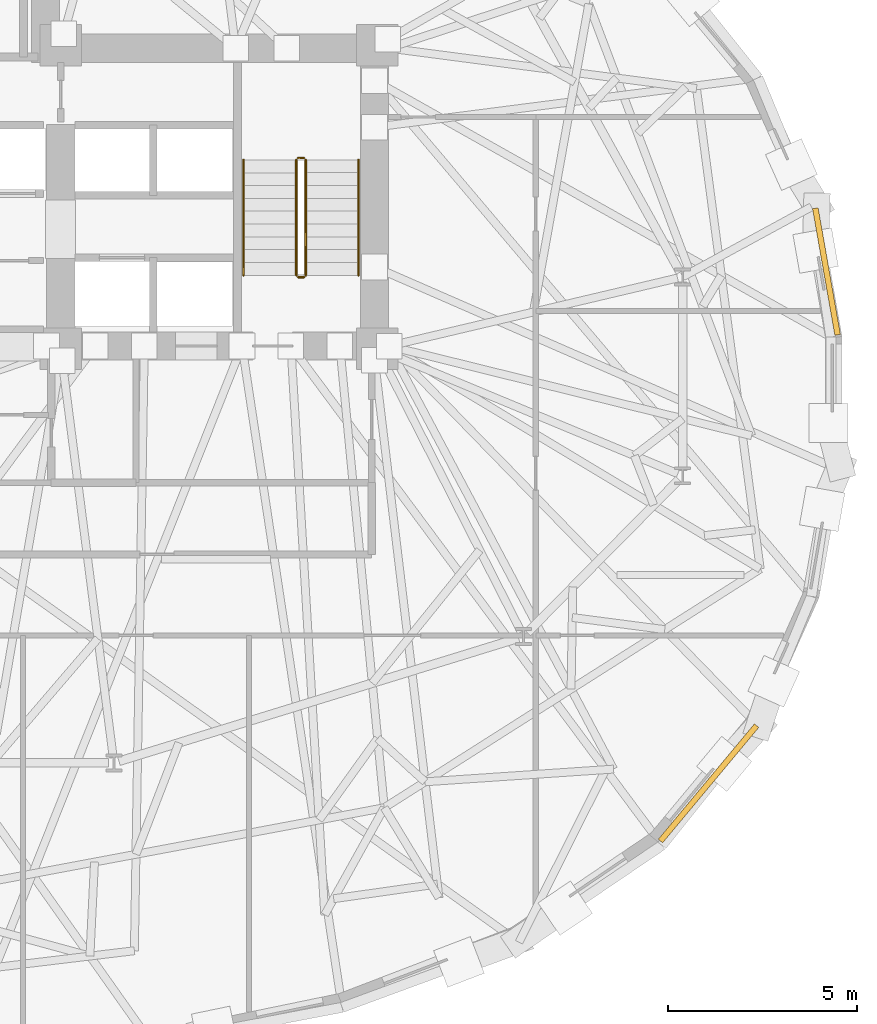
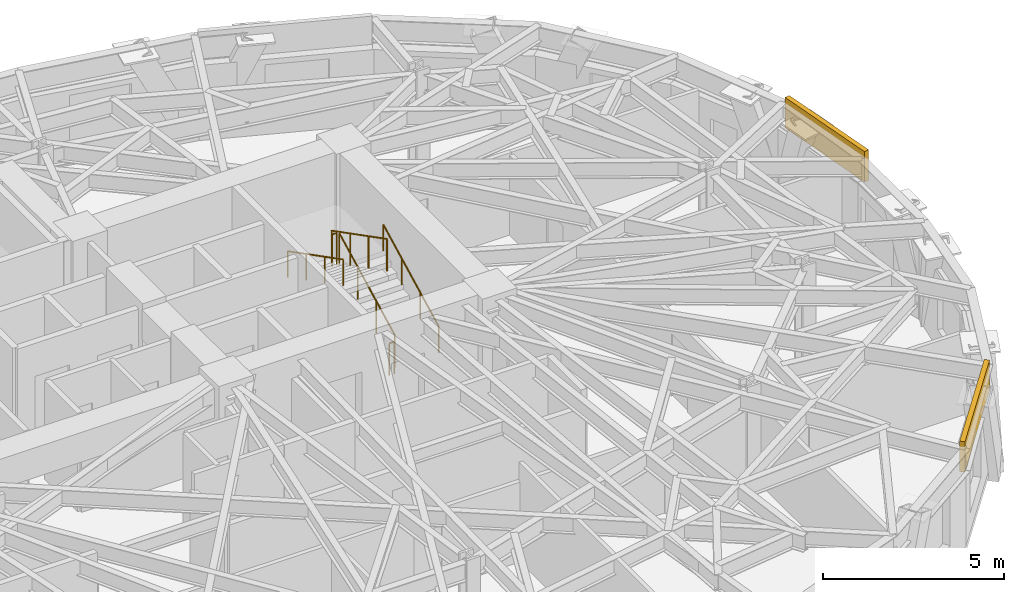
# One storey, part 13 of 14: 6 railings, 2 coverings.
"""IFC4 building model written with IfcOpenShell, lengths in metres."""

from ifc_helpers import new_model, si_unit, direction, frame, origin, origin_2d, place, context, subcontext, project, spatial, rectangle, circle, extrude, material, layer, layer_set, type_object, element, save


model = new_model("IFC4")

# Units and contexts
model_context = context("Model", 3, precision=1e-05, world=origin(), true_north=direction((0.0, 1.0)))
body_context = subcontext(model_context, "Body", "Model", "MODEL_VIEW")
ifc_project = project(units=[si_unit("LENGTHUNIT", "METRE"), si_unit("AREAUNIT", "SQUARE_METRE"), si_unit("VOLUMEUNIT", "CUBIC_METRE"), si_unit("PLANEANGLEUNIT", "RADIAN"), si_unit("MASSUNIT", "GRAM", prefix="KILO")], contexts=[model_context])

# Site, building, storey
site_placement = place(None, origin())
site = spatial("IfcSite", under=ifc_project, at=site_placement, CompositionType="ELEMENT")
building_placement = place(site_placement, origin())
building = spatial("IfcBuilding", under=site, at=building_placement, Name="Keldmark Tower", CompositionType="ELEMENT")
storey_placement = place(building_placement, frame((0.0, 0.0, 124.60009765625)))
storey = spatial("IfcBuildingStorey", under=building, at=storey_placement, Name="L33", CompositionType="ELEMENT", Elevation=124.60009765625)

# Coverings
ifc_material_1 = material(Name="Honed Kasota Buff Dolomitic Limestone", Category="masonry")
ifc_layer = layer(ifc_material_1, 0.074951171875)
ifc_layer_set = layer_set([ifc_layer], Name="Honed Kasota Buff Dolomitic Limestone")
covering_type = type_object("IfcCoveringType", Name="Kasota Buff Limestone Spandrel Cladding Band", PredefinedType="CLADDING", material=ifc_layer_set)
covering_1_placement = place(storey_placement, frame((25.510498046875, 3.449462890625, 2.45166015625), z_axis=(0.0, 0.0, 1.0), x_axis=(-0.173562236317, 0.984822902925, 0.0)))
element("IfcCovering", 1, at=covering_1_placement, inside=storey, type_object=covering_type, Name="L33 Kasota Limestone Spandrel Band 01", PredefinedType="CLADDING", context=body_context, shape_type="SweptSolid", body=[
    extrude(rectangle(XDim=3.408447265625, YDim=0.14990234375, at=origin_2d()), origin(), (0.0, 0.0, 1.0), 1.028076171875),
])
covering_2_placement = place(storey_placement, frame((22.382080078125, -10.12353515625, 2.45166015625), z_axis=(0.0, 0.0, 1.0), x_axis=(0.640123108465, 0.768272351455, 0.0)))
element("IfcCovering", 2, at=covering_2_placement, inside=storey, type_object=covering_type, Name="L33 Kasota Limestone Spandrel Band 29", PredefinedType="CLADDING", context=body_context, shape_type="SweptSolid", body=[
    extrude(rectangle(XDim=3.983154296875, YDim=0.14990234375, at=origin_2d()), origin(), (0.0, 0.0, 1.0), 1.028076171875),
])

# Railings
ifc_material_2 = material(Name="Painted Steel ASTM A500 Grade B", Category="steel")
railing_type_1 = type_object("IfcRailingType", Name="Painted Steel Stair Well Guard 1100 mm", PredefinedType="GUARDRAIL", material=ifc_material_2)
railing_1_placement = place(storey_placement, frame((11.699951171875, 3.35009765625, 0.1748046875)))
element("IfcRailing", 3, at=railing_1_placement, inside=storey, type_object=railing_type_1, Name="L33 ST2 stair guard 1", PredefinedType="GUARDRAIL", context=body_context, shape_type="SweptSolid", body=[
    extrude(circle(Radius=0.02392578125, at=origin_2d()), frame((0.0, 0.0, 1.076171875), z_axis=(0.0, 0.889101422983, 0.457710235465), x_axis=(-1.0, 0.0, 0.0)), (0.0, 0.0, 1.0), 3.44140625),
    extrude(circle(Radius=0.02099609375, at=origin_2d()), origin(), (0.0, 0.0, 1.0), 1.052001953125),
    extrude(circle(Radius=0.02099609375, at=origin_2d()), frame((0.0, 1.02001953125, 0.525146484375)), (0.0, 0.0, 1.0), 1.052001953125),
    extrude(circle(Radius=0.02099609375, at=origin_2d()), frame((0.0, 2.039794921875, 1.050048828125)), (0.0, 0.0, 1.0), 1.052001953125),
    extrude(circle(Radius=0.02099609375, at=origin_2d()), frame((0.0, 3.059814453125, 1.5751953125)), (0.0, 0.0, 1.0), 1.052001953125),
])
railing_2_placement = place(storey_placement, frame((11.64990234375, 6.4599609375, 1.75)))
element("IfcRailing", 4, at=railing_2_placement, inside=storey, type_object=railing_type_1, Name="L33 ST2 stair guard 2", PredefinedType="GUARDRAIL", context=body_context, shape_type="SweptSolid", body=[
    extrude(circle(Radius=0.02392578125, at=origin_2d()), frame((0.0, 0.0, 1.076171875), z_axis=(-1.0, 0.0, 0.0), x_axis=(0.0, -1.0, 0.0)), (0.0, 0.0, 1.0), 0.14990234375),
    extrude(circle(Radius=0.02099609375, at=origin_2d()), origin(), (0.0, 0.0, 1.0), 1.052001953125),
    extrude(circle(Radius=0.02099609375, at=origin_2d()), frame((-0.14990234375, 0.0, 0.0)), (0.0, 0.0, 1.0), 1.052001953125),
])
railing_3_placement = place(storey_placement, frame((11.449951171875, 6.409912109375, 1.9248046875)))
element("IfcRailing", 5, at=railing_3_placement, inside=storey, type_object=railing_type_1, Name="L33 ST2 stair guard 3", PredefinedType="GUARDRAIL", context=body_context, shape_type="SweptSolid", body=[
    extrude(circle(Radius=0.02392578125, at=origin_2d()), frame((0.0, 0.0, 1.076171875), z_axis=(0.0, -0.889101422983, 0.457710235465), x_axis=(1.0, 0.0, 0.0)), (0.0, 0.0, 1.0), 3.44140625),
    extrude(circle(Radius=0.02099609375, at=origin_2d()), origin(), (0.0, 0.0, 1.0), 1.052001953125),
    extrude(circle(Radius=0.02099609375, at=origin_2d()), frame((0.0, -1.02001953125, 0.525146484375)), (0.0, 0.0, 1.0), 1.052001953125),
    extrude(circle(Radius=0.02099609375, at=origin_2d()), frame((0.0, -2.039794921875, 1.050048828125)), (0.0, 0.0, 1.0), 1.052001953125),
    extrude(circle(Radius=0.02099609375, at=origin_2d()), frame((0.0, -3.059814453125, 1.5751953125)), (0.0, 0.0, 1.0), 1.052001953125),
])
railing_4_placement = place(storey_placement, frame((11.64990234375, 3.300048828125, 0.0)))
element("IfcRailing", 6, at=railing_4_placement, inside=storey, type_object=railing_type_1, Name="L33 ST2 stair guard 4", PredefinedType="GUARDRAIL", context=body_context, shape_type="SweptSolid", body=[
    extrude(circle(Radius=0.02392578125, at=origin_2d()), frame((0.0, 0.0, 1.076171875), z_axis=(-1.0, 0.0, 0.0), x_axis=(0.0, -1.0, 0.0)), (0.0, 0.0, 1.0), 0.14990234375),
    extrude(circle(Radius=0.02099609375, at=origin_2d()), origin(), (0.0, 0.0, 1.0), 1.052001953125),
    extrude(circle(Radius=0.02099609375, at=origin_2d()), frame((-0.14990234375, 0.0, 0.0)), (0.0, 0.0, 1.0), 1.052001953125),
])
ifc_material_3 = material(Name="Stainless Steel AISI 316L", Category="steel")
railing_type_2 = type_object("IfcRailingType", Name="Stainless Steel Stair Handrail 900 mm", PredefinedType="HANDRAIL", material=ifc_material_3)
railing_5_placement = place(storey_placement, frame((13.10009765625, 3.35009765625, 0.1748046875)))
element("IfcRailing", 7, at=railing_5_placement, inside=storey, type_object=railing_type_2, Name="L33 ST2 stair handrail 1", PredefinedType="HANDRAIL", context=body_context, shape_type="SweptSolid", body=[
    extrude(circle(Radius=0.02392578125, at=origin_2d()), frame((0.0, 0.0, 0.8759765625), z_axis=(0.0, 0.889101422983, 0.457710235465), x_axis=(-1.0, 0.0, 0.0)), (0.0, 0.0, 1.0), 3.44140625),
    extrude(circle(Radius=0.02099609375, at=origin_2d()), origin(), (0.0, 0.0, 1.0), 0.851806640625),
    extrude(circle(Radius=0.02099609375, at=origin_2d()), frame((0.0, 1.02001953125, 0.525146484375)), (0.0, 0.0, 1.0), 0.851806640625),
    extrude(circle(Radius=0.02099609375, at=origin_2d()), frame((0.0, 2.039794921875, 1.050048828125)), (0.0, 0.0, 1.0), 0.851806640625),
    extrude(circle(Radius=0.02099609375, at=origin_2d()), frame((0.0, 3.059814453125, 1.5751953125)), (0.0, 0.0, 1.0), 0.851806640625),
])
railing_6_placement = place(storey_placement, frame((10.050048828125, 6.409912109375, 1.9248046875)))
element("IfcRailing", 8, at=railing_6_placement, inside=storey, type_object=railing_type_2, Name="L33 ST2 stair handrail 2", PredefinedType="HANDRAIL", context=body_context, shape_type="SweptSolid", body=[
    extrude(circle(Radius=0.02392578125, at=origin_2d()), frame((0.0, 0.0, 0.8759765625), z_axis=(0.0, -0.889101422983, 0.457710235465), x_axis=(1.0, 0.0, 0.0)), (0.0, 0.0, 1.0), 3.44140625),
    extrude(circle(Radius=0.02099609375, at=origin_2d()), origin(), (0.0, 0.0, 1.0), 0.851806640625),
    extrude(circle(Radius=0.02099609375, at=origin_2d()), frame((0.0, -1.02001953125, 0.525146484375)), (0.0, 0.0, 1.0), 0.851806640625),
    extrude(circle(Radius=0.02099609375, at=origin_2d()), frame((0.0, -2.039794921875, 1.050048828125)), (0.0, 0.0, 1.0), 0.851806640625),
    extrude(circle(Radius=0.02099609375, at=origin_2d()), frame((0.0, -3.059814453125, 1.5751953125)), (0.0, 0.0, 1.0), 0.851806640625),
])

save(model, "model.ifc")
